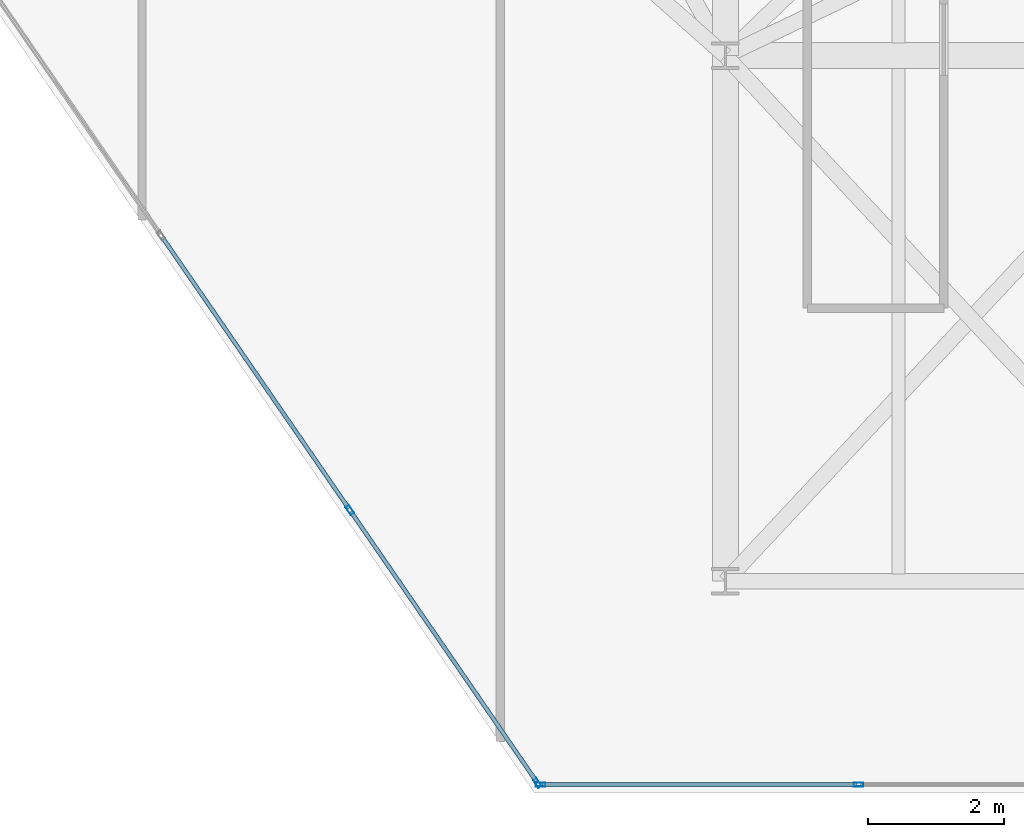
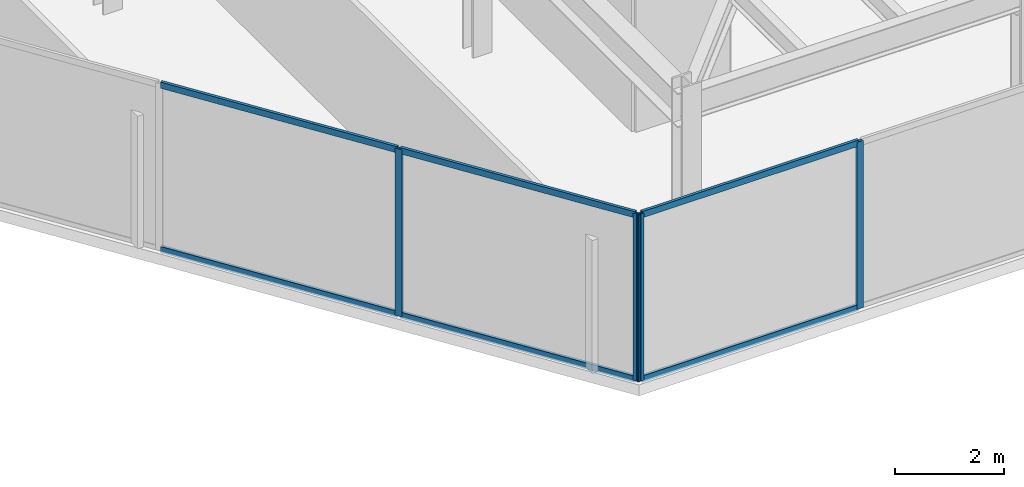
# One storey, part 10 of 21: 10 members, 2 elements without a shape of their own.
"""IFC4 building model written with IfcOpenShell, lengths in metres."""

from ifc_helpers import new_model, si_unit, direction, frame, origin, origin_2d, place, context, subcontext, project, spatial, hollow_rectangle, extrude, material, layer, layer_set, material_profile, profile_set, type_object, element, aggregate, save


model = new_model("IFC4")

# Units and contexts
model_context = context("Model", 3, precision=1e-05, world=origin(), true_north=direction((0.0, 1.0)))
body_context = subcontext(model_context, "Body", "Model", "MODEL_VIEW")
ifc_project = project(units=[si_unit("LENGTHUNIT", "METRE"), si_unit("AREAUNIT", "SQUARE_METRE"), si_unit("VOLUMEUNIT", "CUBIC_METRE"), si_unit("PLANEANGLEUNIT", "RADIAN"), si_unit("MASSUNIT", "GRAM", prefix="KILO")], contexts=[model_context])

# Site, building, storey
site_placement = place(None, origin())
site = spatial("IfcSite", under=ifc_project, at=site_placement, CompositionType="ELEMENT")
building_placement = place(site_placement, origin())
building = spatial("IfcBuilding", under=site, at=building_placement, Name="Kravanh Interchange Tower", CompositionType="ELEMENT")
storey_placement = place(building_placement, frame((0.0, 0.0, 200.5)))
storey = spatial("IfcBuildingStorey", under=building, at=storey_placement, Name="L48", CompositionType="ELEMENT", Elevation=200.5)

# Curtain wall, members
ifc_material_1 = material(Name="Anodised Bronze Aluminium", Category="aluminium")
ifc_layer = layer(ifc_material_1, 0.179931640625)
ifc_layer_set = layer_set([ifc_layer], Name="Unitised Curtain Wall System CW-Z3 Upper Office")
curtain_wall_type = type_object("IfcCurtainWallType", Name="Unitised Curtain Wall System CW-Z3 Upper Office", PredefinedType="NOTDEFINED", material=ifc_layer_set)
curtain_wall_1_placement = place(storey_placement, origin())
curtain_wall_1 = element("IfcCurtainWall", 1, at=curtain_wall_1_placement, inside=storey, type_object=curtain_wall_type, Name="L48 Unitised Curtain Wall CW-L48-02", PredefinedType="NOTDEFINED")
ifc_material_2 = material(Name="Anodised Bronze Aluminium", Category="aluminium")
ifc_material_profile_1 = material_profile(ifc_material_2, hollow_rectangle(XDim=0.06005859375, YDim=0.139892578125, WallThickness=0.00390625, at=origin_2d()), Name="ALU60X140X4")
ifc_profile_set_1 = profile_set([ifc_material_profile_1], Name="Anodised Bronze Aluminium")
member_type_1 = type_object("IfcMemberType", Name="Curtain Wall Mullion ALU60X140X4 Bronze", PredefinedType="MULLION", material=ifc_profile_set_1)
member_1_placement = place(storey_placement, frame((57.9521484375, 11.52001953125, 0.0), z_axis=(0.0, 0.0, 1.0), x_axis=(0.0, -1.0, 0.0)))
member_1 = element("IfcMember", 2, at=member_1_placement, type_object=member_type_1, Name="CW-Z3 mullion 2", PredefinedType="MULLION", context=body_context, shape_type="SweptSolid", body=[
    extrude(hollow_rectangle(XDim=0.06005859375, YDim=0.139892578125, WallThickness=0.00390625, at=origin_2d()), origin(), (0.0, 0.0, 1.0), 3.7548828125),
])
member_2_placement = place(storey_placement, frame((53.293212890625, 11.52001953125, 0.0), z_axis=(0.0, 0.0, 1.0), x_axis=(0.0, -1.0, 0.0)))
member_2 = element("IfcMember", 3, at=member_2_placement, type_object=member_type_1, Name="CW-Z3 mullion 3", PredefinedType="MULLION", context=body_context, shape_type="SweptSolid", body=[
    extrude(hollow_rectangle(XDim=0.06005859375, YDim=0.139892578125, WallThickness=0.00390625, at=origin_2d()), origin(), (0.0, 0.0, 1.0), 3.7548828125),
])

curtain_wall_2_placement = place(storey_placement, origin())
curtain_wall_2 = element("IfcCurtainWall", 4, at=curtain_wall_2_placement, inside=storey, type_object=curtain_wall_type, Name="L48 Unitised Curtain Wall CW-L48-03", PredefinedType="NOTDEFINED")
member_3_placement = place(storey_placement, frame((53.24609375, 11.544677734375, 0.0), z_axis=(0.0, 0.0, 1.0), x_axis=(-0.824042223035, -0.566528388217, 0.0)))
member_3 = element("IfcMember", 5, at=member_3_placement, type_object=member_type_1, Name="CW-Z3 mullion 1", PredefinedType="MULLION", context=body_context, shape_type="SweptSolid", body=[
    extrude(hollow_rectangle(XDim=0.06005859375, YDim=0.139892578125, WallThickness=0.00390625, at=origin_2d()), origin(), (0.0, 0.0, 1.0), 3.7548828125),
])
member_4_placement = place(storey_placement, frame((50.497314453125, 15.54296875, 0.0), z_axis=(0.0, 0.0, 1.0), x_axis=(-0.824042223035, -0.566528388217, 0.0)))
member_4 = element("IfcMember", 6, at=member_4_placement, type_object=member_type_1, Name="CW-Z3 mullion 2", PredefinedType="MULLION", context=body_context, shape_type="SweptSolid", body=[
    extrude(hollow_rectangle(XDim=0.06005859375, YDim=0.139892578125, WallThickness=0.00390625, at=origin_2d()), origin(), (0.0, 0.0, 1.0), 3.7548828125),
])

# Member
ifc_material_3 = material(Name="Anodised Bronze Aluminium", Category="aluminium")
ifc_material_profile_2 = material_profile(ifc_material_3, hollow_rectangle(XDim=0.06005859375, YDim=0.139892578125, WallThickness=0.00390625, at=origin_2d()), Name="ALU60X140X4")
ifc_profile_set_2 = profile_set([ifc_material_profile_2], Name="Anodised Bronze Aluminium")
member_type_2 = type_object("IfcMemberType", Name="Curtain Wall Transom ALU60X140X4 Bronze", PredefinedType="USERDEFINED", material=ifc_profile_set_2)
member_5_placement = place(storey_placement, frame((57.922119140625, 11.52001953125, 0.030029296875), z_axis=(-1.0, 0.0, 0.0), x_axis=(0.0, -1.0, 0.0)))
member_5 = element("IfcMember", 7, at=member_5_placement, type_object=member_type_2, Name="CW-Z3 transom 2.1", ObjectType="TRANSOM", PredefinedType="USERDEFINED", context=body_context, shape_type="SweptSolid", body=[
    extrude(hollow_rectangle(XDim=0.06005859375, YDim=0.139892578125, WallThickness=0.00390625, at=origin_2d()), origin(), (0.0, 0.0, 1.0), 4.59912109375),
])

member_6_placement = place(storey_placement, frame((57.922119140625, 11.52001953125, 3.72509765625), z_axis=(-1.0, 0.0, 0.0), x_axis=(0.0, -1.0, 0.0)))
member_6 = element("IfcMember", 8, at=member_6_placement, type_object=member_type_2, Name="CW-Z3 transom 2.2", ObjectType="TRANSOM", PredefinedType="USERDEFINED", context=body_context, shape_type="SweptSolid", body=[
    extrude(hollow_rectangle(XDim=0.06005859375, YDim=0.139892578125, WallThickness=0.00390625, at=origin_2d()), origin(), (0.0, 0.0, 1.0), 4.59912109375),
])

aggregate(curtain_wall_1, [member_1, member_2, member_5, member_6])

member_7_placement = place(storey_placement, frame((53.22900390625, 11.5693359375, 0.030029296875), z_axis=(-0.566483415384, 0.824073140016, 0.0), x_axis=(-0.824073140016, -0.566483415384, 0.0)))
member_7 = element("IfcMember", 9, at=member_7_placement, type_object=member_type_2, Name="CW-Z3 transom 1.1", ObjectType="TRANSOM", PredefinedType="USERDEFINED", context=body_context, shape_type="SweptSolid", body=[
    extrude(hollow_rectangle(XDim=0.06005859375, YDim=0.139892578125, WallThickness=0.00390625, at=origin_2d()), origin(), (0.0, 0.0, 1.0), 4.7919921875),
])

member_8_placement = place(storey_placement, frame((53.22900390625, 11.5693359375, 3.72509765625), z_axis=(-0.566483415384, 0.824073140016, 0.0), x_axis=(-0.824073140016, -0.566483415384, 0.0)))
member_8 = element("IfcMember", 10, at=member_8_placement, type_object=member_type_2, Name="CW-Z3 transom 1.2", ObjectType="TRANSOM", PredefinedType="USERDEFINED", context=body_context, shape_type="SweptSolid", body=[
    extrude(hollow_rectangle(XDim=0.06005859375, YDim=0.139892578125, WallThickness=0.00390625, at=origin_2d()), origin(), (0.0, 0.0, 1.0), 4.7919921875),
])

member_9_placement = place(storey_placement, frame((50.480224609375, 15.567626953125, 0.030029296875), z_axis=(-0.566503037389, 0.824059651135, 0.0), x_axis=(-0.824059651135, -0.566503037389, 0.0)))
member_9 = element("IfcMember", 11, at=member_9_placement, type_object=member_type_2, Name="CW-Z3 transom 2.1", ObjectType="TRANSOM", PredefinedType="USERDEFINED", context=body_context, shape_type="SweptSolid", body=[
    extrude(hollow_rectangle(XDim=0.06005859375, YDim=0.139892578125, WallThickness=0.00390625, at=origin_2d()), origin(), (0.0, 0.0, 1.0), 4.822021484375),
])

member_10_placement = place(storey_placement, frame((50.480224609375, 15.567626953125, 3.72509765625), z_axis=(-0.566503037389, 0.824059651135, 0.0), x_axis=(-0.824059651135, -0.566503037389, 0.0)))
member_10 = element("IfcMember", 12, at=member_10_placement, type_object=member_type_2, Name="CW-Z3 transom 2.2", ObjectType="TRANSOM", PredefinedType="USERDEFINED", context=body_context, shape_type="SweptSolid", body=[
    extrude(hollow_rectangle(XDim=0.06005859375, YDim=0.139892578125, WallThickness=0.00390625, at=origin_2d()), origin(), (0.0, 0.0, 1.0), 4.822021484375),
])

aggregate(curtain_wall_2, [member_3, member_4, member_7, member_8, member_9, member_10])

save(model, "model.ifc")
